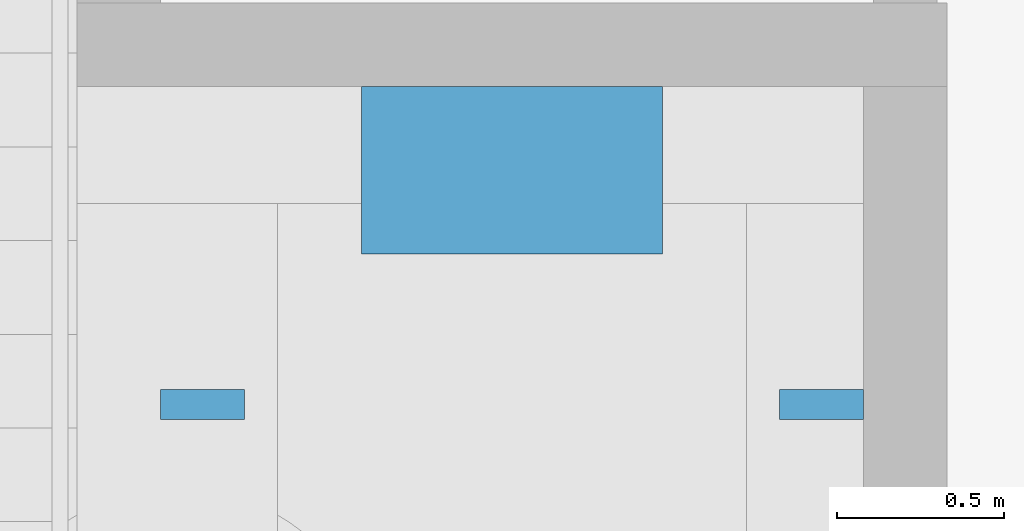
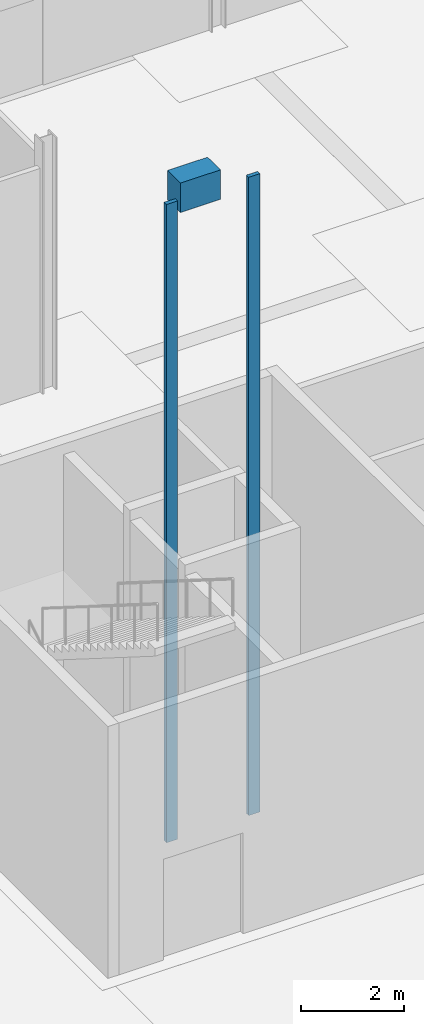
# One storey, part 85 of 97: 3 discrete accessories.
"""IFC4 building model written with IfcOpenShell, lengths in metres."""

from ifc_helpers import new_model, si_unit, direction, frame, origin, origin_2d, place, context, subcontext, project, spatial, rectangle, extrude, material, type_object, element, save


model = new_model("IFC4")

# Units and contexts
model_context = context("Model", 3, precision=1e-05, world=origin(), true_north=direction((0.0, 1.0)))
body_context = subcontext(model_context, "Body", "Model", "MODEL_VIEW")
ifc_project = project(units=[si_unit("LENGTHUNIT", "METRE"), si_unit("AREAUNIT", "SQUARE_METRE"), si_unit("VOLUMEUNIT", "CUBIC_METRE"), si_unit("PLANEANGLEUNIT", "RADIAN"), si_unit("MASSUNIT", "GRAM", prefix="KILO")], contexts=[model_context])

# Site, building, storey
site_placement = place(None, origin())
site = spatial("IfcSite", under=ifc_project, at=site_placement, CompositionType="ELEMENT")
building_placement = place(site_placement, origin())
building = spatial("IfcBuilding", under=site, at=building_placement, Name="Corbel Yard City Hall", CompositionType="ELEMENT")
storey_placement = place(building_placement, origin())
storey = spatial("IfcBuildingStorey", under=building, at=storey_placement, Name="L00", CompositionType="ELEMENT", Elevation=0.0)

# Discrete accessories
ifc_material = material(Name="Steel Grade G250", Category="steel")
discrete_accessory_type_1 = type_object("IfcDiscreteAccessoryType", Name="LM1", PredefinedType="USERDEFINED", material=ifc_material)
discrete_accessory_placement = place(storey_placement, frame((5.35009765625, 50.89990234375, 13.10009765625), z_axis=(0.0, 0.0, 1.0), x_axis=(1.0, 0.0, 0.0)))
element("IfcDiscreteAccessory", 1, at=discrete_accessory_placement, inside=storey, type_object=discrete_accessory_type_1, Name="Lift LP8 drive machine", ObjectType="LIFT MACHINE", PredefinedType="USERDEFINED", context=body_context, shape_type="SweptSolid", body=[
    extrude(rectangle(XDim=0.89990234375, YDim=0.5, at=origin_2d()), origin(), (0.0, 0.0, 1.0), 0.699951171875),
])
discrete_accessory_type_2 = type_object("IfcDiscreteAccessoryType", Name="LR1", PredefinedType="USERDEFINED", material=ifc_material)
for number, where, z_axis, x_axis, name in (
    (2, (4.425048828125, 50.199951171875, -1.39990234375), (0.0, 0.0, 1.0), (1.0, 0.0, 0.0), "Lift LP8 guide rail 1"),
    (3, (6.27490234375, 50.199951171875, -1.39990234375), (0.0, 0.0, 1.0), (1.0, 0.0, 0.0), "Lift LP8 guide rail 2"),
):
    element("IfcDiscreteAccessory", number, at=place(storey_placement, frame(where, z_axis=z_axis, x_axis=x_axis)), inside=storey, type_object=discrete_accessory_type_2, Name=name, ObjectType="GUIDE RAIL", PredefinedType="USERDEFINED", context=body_context, shape_type="SweptSolid", body=[
        extrude(rectangle(XDim=0.25, YDim=0.090087890625, at=origin_2d()), origin(), (0.0, 0.0, 1.0), 15.199951171875),
    ])

save(model, "model.ifc")
